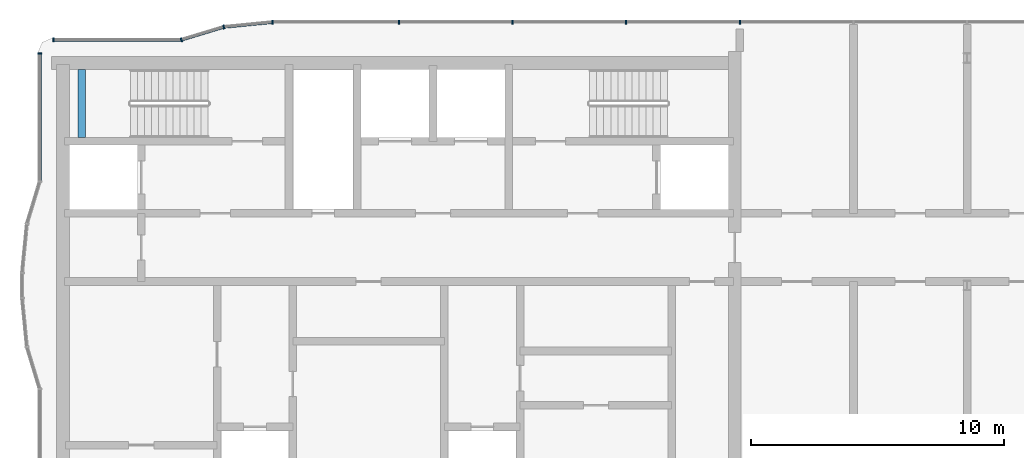
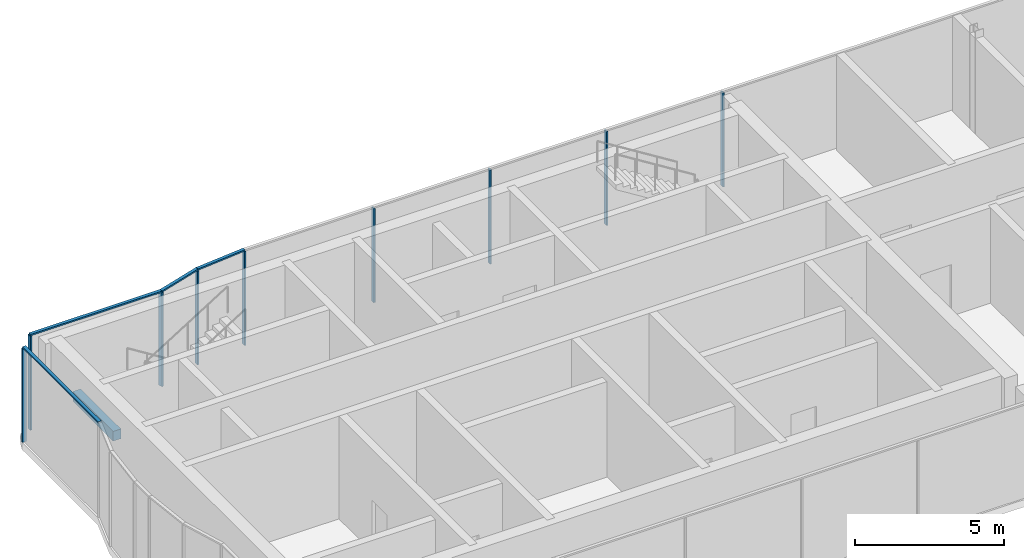
# One storey, part 3 of 14: 13 members, 1 beam, 5 elements without a shape of their own.
"""IFC4 building model written with IfcOpenShell, lengths in metres."""

from ifc_helpers import new_model, si_unit, direction, frame, origin, origin_2d, place, context, subcontext, project, spatial, rectangle, extrude, material, material_profile, profile_set, type_object, element, aggregate, save


model = new_model("IFC4")

# Units and contexts
model_context = context("Model", 3, precision=1e-05, world=origin(), true_north=direction((0.0, 1.0)))
body_context = subcontext(model_context, "Body", "Model", "MODEL_VIEW")
ifc_project = project(units=[si_unit("LENGTHUNIT", "METRE"), si_unit("AREAUNIT", "SQUARE_METRE"), si_unit("VOLUMEUNIT", "CUBIC_METRE"), si_unit("PLANEANGLEUNIT", "RADIAN"), si_unit("MASSUNIT", "GRAM", prefix="KILO")], contexts=[model_context])

# Site, building, storey
site_placement = place(None, origin())
site = spatial("IfcSite", under=ifc_project, at=site_placement, CompositionType="ELEMENT")
building_placement = place(site_placement, origin())
building = spatial("IfcBuilding", under=site, at=building_placement, Name="Ogive Portal Towers", CompositionType="ELEMENT")
storey_placement = place(building_placement, frame((0.0, 0.0, 277.10009765625)))
storey = spatial("IfcBuildingStorey", under=building, at=storey_placement, Name="L67", CompositionType="ELEMENT", Elevation=277.10009765625)

# Beam
ifc_material_1 = material(Name="Concrete C40/50", Category="concrete")
ifc_material_profile_1 = material_profile(ifc_material_1, rectangle(XDim=0.300048828125, YDim=0.39990234375, at=origin_2d()), Name="RC 300x400")
ifc_profile_set_1 = profile_set([ifc_material_profile_1], Name="Concrete C40/50")
beam_type = type_object("IfcBeamType", Name="BEAM RC 300x400", PredefinedType="BEAM", material=ifc_profile_set_1)
beam_placement = place(storey_placement, frame((32.449951171875, 36.35009765625, 1.699951171875), z_axis=(0.0, 1.0, 0.0), x_axis=(-1.0, 0.0, 0.0)))
element("IfcBeam", 1, at=beam_placement, inside=storey, type_object=beam_type, Name="Landing beam L67", PredefinedType="BEAM", context=body_context, shape_type="SweptSolid", body=[
    extrude(rectangle(XDim=0.300048828125, YDim=0.39990234375, at=origin_2d()), origin(), (0.0, 0.0, 1.0), 2.699951171875),
])

# Curtain wall, members
ifc_material_2 = material(Name="Glass, clear low-iron insulated glazing", Category="glass")
curtain_wall_type = type_object("IfcCurtainWallType", Name="CW CROWN GLAZING", PredefinedType="NOTDEFINED", material=ifc_material_2)
curtain_wall_1_placement = place(storey_placement, origin())
curtain_wall_1 = element("IfcCurtainWall", 2, at=curtain_wall_1_placement, inside=storey, type_object=curtain_wall_type, Name="A:L67:c12:cw", PredefinedType="NOTDEFINED")
ifc_material_3 = material(Name="Aluminium 6063 anodised", Category="aluminium")
ifc_material_profile_2 = material_profile(ifc_material_3, rectangle(XDim=0.159912109375, YDim=0.06005859375, at=origin_2d()), Name="AL 60x160")
ifc_profile_set_2 = profile_set([ifc_material_profile_2], Name="Aluminium 6063 anodised")
member_type_1 = type_object("IfcMemberType", Name="CW MULLION 60x160", PredefinedType="MULLION", material=ifc_profile_set_2)
member_1_placement = place(storey_placement, frame((58.5, 40.919921875, 0.0), z_axis=(0.0, 0.0, 1.0), x_axis=(0.0, -1.0, 0.0)))
member_1 = element("IfcMember", 3, at=member_1_placement, type_object=member_type_1, Name="mullion", PredefinedType="MULLION", context=body_context, shape_type="SweptSolid", body=[
    extrude(rectangle(XDim=0.159912109375, YDim=0.06005859375, at=origin_2d()), origin(), (0.0, 0.0, 1.0), 3.83984375),
])
member_2_placement = place(storey_placement, frame((54.0, 40.919921875, 0.0), z_axis=(0.0, 0.0, 1.0), x_axis=(0.0, -1.0, 0.0)))
member_2 = element("IfcMember", 4, at=member_2_placement, type_object=member_type_1, Name="mullion", PredefinedType="MULLION", context=body_context, shape_type="SweptSolid", body=[
    extrude(rectangle(XDim=0.159912109375, YDim=0.06005859375, at=origin_2d()), origin(), (0.0, 0.0, 1.0), 3.83984375),
])
member_3_placement = place(storey_placement, frame((49.5, 40.919921875, 0.0), z_axis=(0.0, 0.0, 1.0), x_axis=(0.0, -1.0, 0.0)))
member_3 = element("IfcMember", 5, at=member_3_placement, type_object=member_type_1, Name="mullion", PredefinedType="MULLION", context=body_context, shape_type="SweptSolid", body=[
    extrude(rectangle(XDim=0.159912109375, YDim=0.06005859375, at=origin_2d()), origin(), (0.0, 0.0, 1.0), 3.83984375),
])
member_4_placement = place(storey_placement, frame((45.0, 40.919921875, 0.0), z_axis=(0.0, 0.0, 1.0), x_axis=(0.0, -1.0, 0.0)))
member_4 = element("IfcMember", 6, at=member_4_placement, type_object=member_type_1, Name="mullion", PredefinedType="MULLION", context=body_context, shape_type="SweptSolid", body=[
    extrude(rectangle(XDim=0.159912109375, YDim=0.06005859375, at=origin_2d()), origin(), (0.0, 0.0, 1.0), 3.83984375),
])
member_5_placement = place(storey_placement, frame((40.00390625, 40.919921875, 0.0), z_axis=(0.0, 0.0, 1.0), x_axis=(0.0, -1.0, 0.0)))
member_5 = element("IfcMember", 7, at=member_5_placement, type_object=member_type_1, Name="mullion", PredefinedType="MULLION", context=body_context, shape_type="SweptSolid", body=[
    extrude(rectangle(XDim=0.159912109375, YDim=0.06005859375, at=origin_2d()), origin(), (0.0, 0.0, 1.0), 3.83984375),
])
aggregate(curtain_wall_1, [member_1, member_2, member_3, member_4, member_5])

# Curtain wall, member
curtain_wall_2_placement = place(storey_placement, origin())
curtain_wall_2 = element("IfcCurtainWall", 8, at=curtain_wall_2_placement, inside=storey, type_object=curtain_wall_type, Name="A:L67:c13:cw", PredefinedType="NOTDEFINED")
member_6_placement = place(storey_placement, frame((38.064697265625, 40.72900390625, 0.0), z_axis=(0.0, 0.0, 1.0), x_axis=(0.09801714033, -0.995184726672, 0.0)))
member_6 = element("IfcMember", 9, at=member_6_placement, type_object=member_type_1, Name="mullion", PredefinedType="MULLION", context=body_context, shape_type="SweptSolid", body=[
    extrude(rectangle(XDim=0.159912109375, YDim=0.06005859375, at=origin_2d()), origin(), (0.0, 0.0, 1.0), 3.83984375),
])

curtain_wall_3_placement = place(storey_placement, origin())
curtain_wall_3 = element("IfcCurtainWall", 10, at=curtain_wall_3_placement, inside=storey, type_object=curtain_wall_type, Name="A:L67:c14:cw", PredefinedType="NOTDEFINED")
member_7_placement = place(storey_placement, frame((36.38671875, 40.219970703125, 0.0), z_axis=(0.0, 0.0, 1.0), x_axis=(0.290284677254, -0.956940335732, 0.0)))
member_7 = element("IfcMember", 11, at=member_7_placement, type_object=member_type_1, Name="mullion", PredefinedType="MULLION", context=body_context, shape_type="SweptSolid", body=[
    extrude(rectangle(XDim=0.159912109375, YDim=0.06005859375, at=origin_2d()), origin(), (0.0, 0.0, 1.0), 3.83984375),
])

curtain_wall_4_placement = place(storey_placement, origin())
curtain_wall_4 = element("IfcCurtainWall", 12, at=curtain_wall_4_placement, inside=storey, type_object=curtain_wall_type, Name="A:L67:c15:cw", PredefinedType="NOTDEFINED")
member_8_placement = place(storey_placement, frame((31.31591796875, 40.219970703125, 0.0), z_axis=(0.0, 0.0, 1.0), x_axis=(0.0, -1.0, 0.0)))
member_8 = element("IfcMember", 13, at=member_8_placement, type_object=member_type_1, Name="mullion", PredefinedType="MULLION", context=body_context, shape_type="SweptSolid", body=[
    extrude(rectangle(XDim=0.159912109375, YDim=0.06005859375, at=origin_2d()), origin(), (0.0, 0.0, 1.0), 3.83984375),
])

curtain_wall_5_placement = place(storey_placement, origin())
curtain_wall_5 = element("IfcCurtainWall", 14, at=curtain_wall_5_placement, inside=storey, type_object=curtain_wall_type, Name="A:L67:c18:cw", PredefinedType="NOTDEFINED")
member_9_placement = place(storey_placement, frame((30.780029296875, 39.68408203125, 0.0), z_axis=(0.0, 0.0, 1.0), x_axis=(1.0, 0.0, 0.0)))
member_9 = element("IfcMember", 15, at=member_9_placement, type_object=member_type_1, Name="mullion", PredefinedType="MULLION", context=body_context, shape_type="SweptSolid", body=[
    extrude(rectangle(XDim=0.159912109375, YDim=0.06005859375, at=origin_2d()), origin(), (0.0, 0.0, 1.0), 3.83984375),
])

# Member
ifc_material_profile_3 = material_profile(ifc_material_3, rectangle(XDim=0.1201171875, YDim=0.06005859375, at=origin_2d()), Name="AL 120x60")
ifc_profile_set_3 = profile_set([ifc_material_profile_3], Name="Aluminium 6063 anodised")
member_type_2 = type_object("IfcMemberType", Name="CW TRANSOM 60x120", PredefinedType="USERDEFINED", material=ifc_profile_set_3)
member_10_placement = place(storey_placement, frame((40.00390625, 40.919921875, 3.869873046875), z_axis=(-0.995188602778, -0.097977777587, 0.0), x_axis=(0.097977777587, -0.995188602778, 0.0)))
member_10 = element("IfcMember", 16, at=member_10_placement, type_object=member_type_2, Name="transom", ObjectType="TRANSOM", PredefinedType="USERDEFINED", context=body_context, shape_type="SweptSolid", body=[
    extrude(rectangle(XDim=0.1201171875, YDim=0.06005859375, at=origin_2d()), origin(), (0.0, 0.0, 1.0), 1.948486328125),
])

aggregate(curtain_wall_2, [member_10, member_6])

member_11_placement = place(storey_placement, frame((38.064697265625, 40.72900390625, 3.869873046875), z_axis=(-0.956936535945, -0.290297203178, 0.0), x_axis=(0.290297203178, -0.956936535945, 0.0)))
member_11 = element("IfcMember", 17, at=member_11_placement, type_object=member_type_2, Name="transom", ObjectType="TRANSOM", PredefinedType="USERDEFINED", context=body_context, shape_type="SweptSolid", body=[
    extrude(rectangle(XDim=0.1201171875, YDim=0.06005859375, at=origin_2d()), origin(), (0.0, 0.0, 1.0), 1.75341796875),
])

aggregate(curtain_wall_3, [member_11, member_7])

member_12_placement = place(storey_placement, frame((36.38671875, 40.219970703125, 3.869873046875), z_axis=(-1.0, 0.0, 0.0), x_axis=(0.0, -1.0, 0.0)))
member_12 = element("IfcMember", 18, at=member_12_placement, type_object=member_type_2, Name="transom", ObjectType="TRANSOM", PredefinedType="USERDEFINED", context=body_context, shape_type="SweptSolid", body=[
    extrude(rectangle(XDim=0.1201171875, YDim=0.06005859375, at=origin_2d()), origin(), (0.0, 0.0, 1.0), 5.07080078125),
])

aggregate(curtain_wall_4, [member_12, member_8])

member_13_placement = place(storey_placement, frame((30.780029296875, 39.68408203125, 3.869873046875), z_axis=(0.0, -1.0, 0.0), x_axis=(1.0, 0.0, 0.0)))
member_13 = element("IfcMember", 19, at=member_13_placement, type_object=member_type_2, Name="transom", ObjectType="TRANSOM", PredefinedType="USERDEFINED", context=body_context, shape_type="SweptSolid", body=[
    extrude(rectangle(XDim=0.1201171875, YDim=0.06005859375, at=origin_2d()), origin(), (0.0, 0.0, 1.0), 5.07080078125),
])

aggregate(curtain_wall_5, [member_13, member_9])

save(model, "model.ifc")
